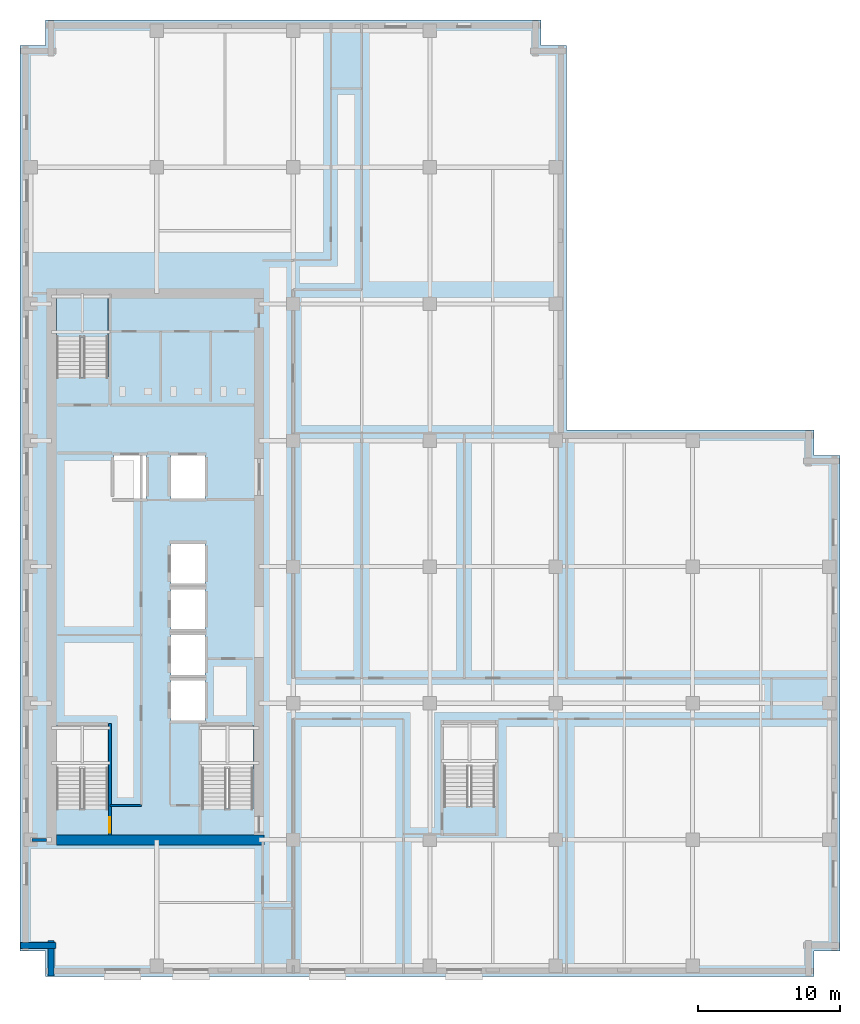
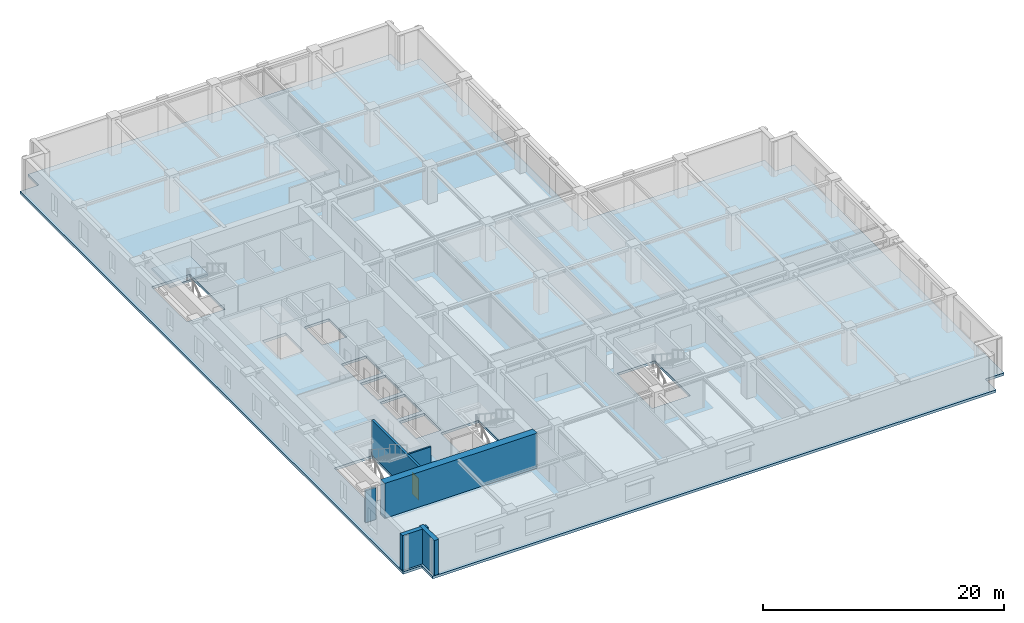
# One storey, part 3 of 13: 6 walls, 2 slabs, 1 door, 1 opening, 1 element without a shape of its own.
"""IFC4 building model written with IfcOpenShell, lengths in metres."""

from ifc_helpers import new_model, si_unit, direction, frame, frame_2d, origin, place, context, subcontext, project, spatial, polyline, rectangle, outline, extrude, material, layer, layer_set, type_object, element, fill, aggregate, save


model = new_model("IFC4")

# Units and contexts
model_context = context("Model", 3, precision=1e-05, world=origin(), true_north=direction((0.0, 1.0)))
body_context = subcontext(model_context, "Body", "Model", "MODEL_VIEW")
ifc_project = project(units=[si_unit("LENGTHUNIT", "METRE"), si_unit("AREAUNIT", "SQUARE_METRE"), si_unit("VOLUMEUNIT", "CUBIC_METRE"), si_unit("PLANEANGLEUNIT", "RADIAN"), si_unit("MASSUNIT", "GRAM", prefix="KILO")], contexts=[model_context])

# Site, building, storey
site_placement = place(None, origin())
site = spatial("IfcSite", under=ifc_project, at=site_placement, CompositionType="ELEMENT")
building_placement = place(site_placement, origin())
building = spatial("IfcBuilding", under=site, at=building_placement, Name="Norrvale University Quadrangle", CompositionType="ELEMENT")
storey_placement = place(building_placement, frame((0.0, 0.0, 175.0)))
storey = spatial("IfcBuildingStorey", under=building, at=storey_placement, Name="L44", CompositionType="ELEMENT", Elevation=175.0)

# Stair, slab
ifc_material_1 = material(Name="Concrete C40/50", Category="concrete")
stair_type = type_object("IfcStairType", Name="Stair Tower Typ 3800", PredefinedType="TWO_STRAIGHT_RUN_STAIR", material=ifc_material_1)
stair_placement = place(storey_placement, origin())
stair = element("IfcStair", 1, at=stair_placement, inside=storey, type_object=stair_type, Name="Exit Stair ST-02 L44", PredefinedType="TWO_STRAIGHT_RUN_STAIR")
ifc_layer_1 = layer(ifc_material_1, 0.199951171875, Name="Concrete C40/50")
ifc_layer_set_1 = layer_set([ifc_layer_1], Name="Concrete C40/50")
slab_type_1 = type_object("IfcSlabType", Name="Slab Landing 200", PredefinedType="LANDING", material=ifc_layer_set_1)
slab_1_placement = place(storey_placement, frame((0.0, 0.0, 1.699951171875)))
slab_1 = element("IfcSlab", 2, at=slab_1_placement, type_object=slab_type_1, Name="Exit Stair ST-02 L44 Mid Landing", PredefinedType="LANDING", context=body_context, shape_type="SweptSolid", body=[
    extrude(outline(polyline([(2.550048828125, 44.889892578125), (6.199951171875, 44.889892578125), (6.199951171875, 47.949951171875), (2.550048828125, 47.949951171875), (2.550048828125, 44.889892578125)])), origin(), (0.0, 0.0, 1.0), 0.199951171875),
])
aggregate(stair, [slab_1])

# Slab
ifc_layer_2 = layer(ifc_material_1, 0.260009765625, Name="Concrete C40/50")
ifc_layer_set_2 = layer_set([ifc_layer_2], Name="Concrete C40/50")
slab_type_2 = type_object("IfcSlabType", Name="Slab Tower Typ 260", PredefinedType="FLOOR", material=ifc_layer_set_2)
slab_2_placement = place(storey_placement, frame((0.0, 0.0, -0.260009765625)))
element("IfcSlab", 3, at=slab_2_placement, inside=storey, type_object=slab_type_2, Name="Tower L44 Floor Slab", PredefinedType="FLOOR", context=body_context, shape_type="SweptSolid", body=[
    extrude(outline(polyline([(1.800048828125, 0.0), (55.800048828125, 0.0), (55.800048828125, 1.800048828125), (57.60009765625, 1.800048828125), (57.60009765625, 36.60009765625), (55.800048828125, 36.60009765625), (55.800048828125, 38.39990234375), (38.39990234375, 38.39990234375), (38.39990234375, 65.39990234375), (36.60009765625, 65.39990234375), (36.60009765625, 67.199951171875), (1.800048828125, 67.199951171875), (1.800048828125, 65.39990234375), (0.0, 65.39990234375), (0.0, 1.800048828125), (1.800048828125, 1.800048828125), (1.800048828125, 0.0)]), holes=[polyline([(2.550048828125, 11.81005859375), (6.199951171875, 11.81005859375), (6.199951171875, 17.64990234375), (2.550048828125, 17.64990234375), (2.550048828125, 11.81005859375)]), polyline([(2.550048828125, 42.110107421875), (6.199951171875, 42.110107421875), (6.199951171875, 47.949951171875), (2.550048828125, 47.949951171875), (2.550048828125, 42.110107421875)]), polyline([(12.75, 11.81005859375), (16.39990234375, 11.81005859375), (16.39990234375, 17.64990234375), (12.75, 17.64990234375), (12.75, 11.81005859375)]), polyline([(29.75, 11.9599609375), (33.39990234375, 11.9599609375), (33.39990234375, 17.800048828125), (29.75, 17.800048828125), (29.75, 11.9599609375)]), polyline([(10.60009765625, 18.0), (13.0, 18.0), (13.0, 20.800048828125), (10.60009765625, 20.800048828125), (10.60009765625, 18.0)]), polyline([(10.60009765625, 21.199951171875), (13.0, 21.199951171875), (13.0, 24.0), (10.60009765625, 24.0), (10.60009765625, 21.199951171875)]), polyline([(10.60009765625, 24.39990234375), (13.0, 24.39990234375), (13.0, 27.199951171875), (10.60009765625, 27.199951171875), (10.60009765625, 24.39990234375)]), polyline([(10.60009765625, 27.60009765625), (13.0, 27.60009765625), (13.0, 30.39990234375), (10.60009765625, 30.39990234375), (10.60009765625, 27.60009765625)]), polyline([(6.60009765625, 33.60009765625), (8.85009765625, 33.60009765625), (8.85009765625, 36.60009765625), (6.60009765625, 36.60009765625), (6.60009765625, 33.60009765625)]), polyline([(10.60009765625, 33.60009765625), (13.0, 33.60009765625), (13.0, 36.60009765625), (10.60009765625, 36.60009765625), (10.60009765625, 33.60009765625)])]), origin(), (0.0, 0.0, 1.0), 0.260009765625),
])

# Walls
ifc_material_2 = material(Name="Buff Norman Clay Brick Masonry", Category="masonry")
ifc_layer_3 = layer(ifc_material_2, 0.419921875, Name="Buff Norman Clay Brick Masonry")
ifc_layer_set_3 = layer_set([ifc_layer_3], Name="Buff Norman Clay Brick Masonry")
wall_type_1 = type_object("IfcWallType", Name="Wall Buff Brick 420", PredefinedType="SOLIDWALL", material=ifc_layer_set_3)
for number, where, z_axis, x_axis, name in (
    (4, (0.0400390625, 2.18994140625, 0.0), (0.0, 0.0, 1.0), (1.0, 0.0, 0.0), "Exterior Brick Facade Wall L44-15.1"),
    (5, (2.18994140625, 2.5400390625, 0.0), (0.0, 0.0, 1.0), (0.0, -1.0, 0.0), "Exterior Brick Facade Wall L44-16.1"),
):
    element("IfcWall", number, at=place(storey_placement, frame(where, z_axis=z_axis, x_axis=x_axis)), inside=storey, type_object=wall_type_1, Name=name, PredefinedType="SOLIDWALL", context=body_context, shape_type="SweptSolid", body=[
        extrude(rectangle(XDim=2.5, YDim=0.419921875, at=frame_2d((1.25, 0.0))), origin(), (0.0, 0.0, 1.0), 3.5400390625),
    ])
ifc_material_3 = material(Name="Concrete C60/75", Category="concrete")
ifc_layer_4 = layer(ifc_material_3, 0.699951171875, Name="Concrete C60/75")
ifc_layer_set_4 = layer_set([ifc_layer_4], Name="Concrete C60/75")
wall_type_2 = type_object("IfcWallType", Name="Wall Core 700", PredefinedType="SHEAR", material=ifc_layer_set_4)
wall_1_placement = place(storey_placement, frame((2.550048828125, 9.60009765625, 0.0), z_axis=(0.0, 0.0, 1.0), x_axis=(1.0, 0.0, 0.0)))
element("IfcWall", 6, at=wall_1_placement, inside=storey, type_object=wall_type_2, Name="Tower Core Shear Wall L44-S", PredefinedType="SHEAR", context=body_context, shape_type="SweptSolid", body=[
    extrude(rectangle(XDim=14.599853515625, YDim=0.699951171875, at=frame_2d((7.2998046875, 0.0))), origin(), (0.0, 0.0, 1.0), 3.5400390625),
])
ifc_material_4 = material(Name="Fire-Rated Gypsum Stud Partition")
ifc_layer_5 = layer(ifc_material_4, 0.14990234375, Name="Fire-Rated Gypsum Stud Partition")
ifc_layer_set_5 = layer_set([ifc_layer_5], Name="Fire-Rated Gypsum Stud Partition")
wall_type_3 = type_object("IfcWallType", Name="Wall Gypsum Corridor 150", PredefinedType="PARTITIONING", material=ifc_layer_set_5)
wall_2_placement = place(storey_placement, frame((6.320068359375, 12.02001953125, 0.0), z_axis=(0.0, 0.0, 1.0), x_axis=(1.0, 0.0, 0.0)))
element("IfcWall", 7, at=wall_2_placement, inside=storey, type_object=wall_type_3, Name="Interior Partition WL-L44-REC-S", PredefinedType="PARTITIONING", context=body_context, shape_type="SweptSolid", body=[
    extrude(rectangle(XDim=2.199951171875, YDim=0.14990234375, at=frame_2d((1.10009765625, 0.0))), origin(), (0.0, 0.0, 1.0), 3.5400390625),
])
ifc_material_5 = material(Name="Concrete Blockwork 20 MPa Rated Wall", Category="masonry")
ifc_layer_6 = layer(ifc_material_5, 0.199951171875, Name="Concrete Blockwork 20 MPa Rated Wall")
ifc_layer_set_6 = layer_set([ifc_layer_6], Name="Concrete Blockwork 20 MPa Rated Wall")
wall_type_4 = type_object("IfcWallType", Name="Wall Lobby 200", PredefinedType="SOLIDWALL", material=ifc_layer_set_6)
wall_3_placement = place(storey_placement, frame((0.85009765625, 9.60009765625, 0.0), z_axis=(0.0, 0.0, 1.0), x_axis=(1.0, 0.0, 0.0)))
element("IfcWall", 8, at=wall_3_placement, inside=storey, type_object=wall_type_4, Name="Interior Partition WL-L44-CWRET-S", PredefinedType="SOLIDWALL", context=body_context, shape_type="SweptSolid", body=[
    extrude(rectangle(XDim=0.994873046875, YDim=0.199951171875, at=frame_2d((0.49755859375, 0.0))), origin(), (0.0, 0.0, 1.0), 3.23193359375),
])

# Wall, opening, door
ifc_material_6 = material(Name="Concrete Blockwork 20 MPa Fire Shaft", Category="masonry")
ifc_layer_7 = layer(ifc_material_6, 0.219970703125, Name="Concrete Blockwork 20 MPa Fire Shaft")
ifc_layer_set_7 = layer_set([ifc_layer_7], Name="Concrete Blockwork 20 MPa Fire Shaft")
wall_type_5 = type_object("IfcWallType", Name="Wall Shaft 220", PredefinedType="SOLIDWALL", material=ifc_layer_set_7)
wall_4_placement = place(storey_placement, frame((6.31005859375, 9.949951171875, 0.0), z_axis=(0.0, 0.0, 1.0), x_axis=(0.0, 1.0, 0.0)))
wall_4 = element("IfcWall", 9, at=wall_4_placement, inside=storey, type_object=wall_type_5, Name="Stair ST-01 East Shaft Wall L44", PredefinedType="SOLIDWALL", context=body_context, shape_type="SweptSolid", body=[
    extrude(rectangle(XDim=7.81005859375, YDim=0.219970703125, at=frame_2d((3.905029296875, 0.0))), origin(), (0.0, 0.0, 1.0), 3.5400390625),
])
opening_placement = place(wall_4_placement, frame((0.139892578125, 0.0, 0.0)))
opening = element("IfcOpeningElement", 10, at=opening_placement, cuts=wall_4, Name="Opening D02", PredefinedType="OPENING", context=body_context, shape_type="SweptSolid", body=[
    extrude(rectangle(XDim=1.10009765625, YDim=2.199951171875, at=frame_2d((0.550048828125, 1.10009765625))), frame((0.0, 0.1220703125, 0.0), z_axis=(0.0, -1.0, 0.0), x_axis=(1.0, 0.0, 0.0)), (0.0, 0.0, 1.0), 0.243896484375),
])
ifc_material_7 = material(Name="Hollow Steel 350W Fire Door", Category="steel")
door_type = type_object("IfcDoorType", Name="Door Stair Exit 1100x2200", OperationType="NOTDEFINED", PredefinedType="DOOR", material=ifc_material_7)
door_placement = place(opening_placement, origin())
door = element("IfcDoor", 11, at=door_placement, inside=storey, type_object=door_type, Name="Door Stair Exit 1100x2200 DR-L44-ST01", OperationType="SINGLE_SWING_LEFT", OverallHeight=2.199951171875, OverallWidth=1.10009765625, PredefinedType="DOOR", context=body_context, shape_type="SweptSolid", body=[
    extrude(rectangle(XDim=1.10009765625, YDim=2.199951171875, at=frame_2d((0.550048828125, 1.10009765625))), frame((0.0, 0.02490234375, 0.0), z_axis=(0.0, -1.0, 0.0), x_axis=(1.0, 0.0, 0.0)), (0.0, 0.0, 1.0), 0.050048828125),
])
fill(opening, door)

save(model, "model.ifc")
